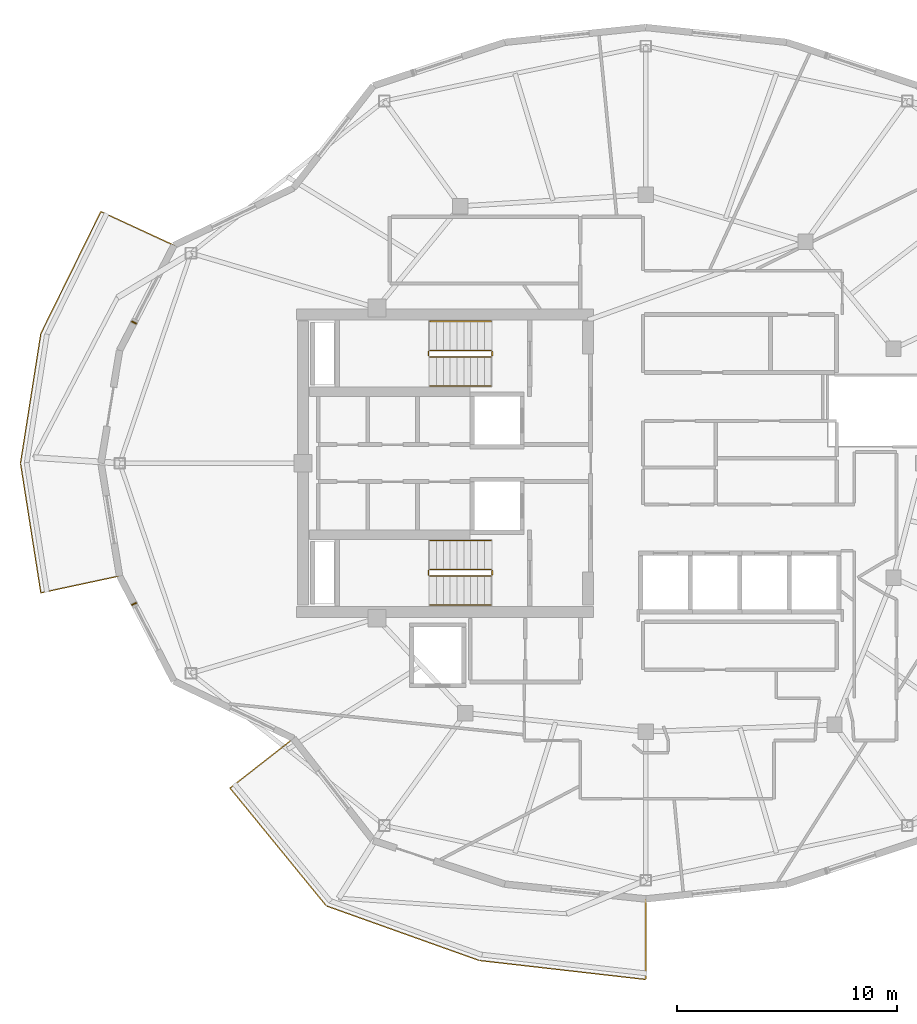
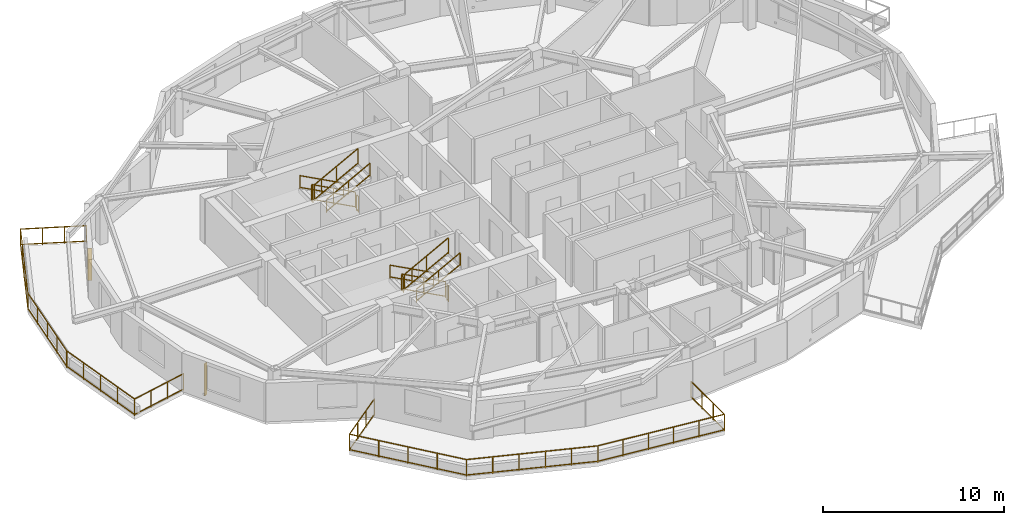
# One storey, part 8 of 10: 14 railings, 2 shading devices.
"""IFC4 building model written with IfcOpenShell, lengths in metres."""

from ifc_helpers import new_model, si_unit, direction, frame, origin, origin_2d, place, context, subcontext, project, spatial, rectangle, extrude, material, type_object, element, save


model = new_model("IFC4")

# Units and contexts
model_context = context("Model", 3, precision=1e-05, world=origin(), true_north=direction((0.0, 1.0)))
body_context = subcontext(model_context, "Body", "Model", "MODEL_VIEW")
ifc_project = project(units=[si_unit("LENGTHUNIT", "METRE"), si_unit("AREAUNIT", "SQUARE_METRE"), si_unit("VOLUMEUNIT", "CUBIC_METRE"), si_unit("PLANEANGLEUNIT", "RADIAN"), si_unit("MASSUNIT", "GRAM", prefix="KILO")], contexts=[model_context])

# Site, building, storey
site_placement = place(None, origin())
site = spatial("IfcSite", under=ifc_project, at=site_placement, CompositionType="ELEMENT")
building_placement = place(site_placement, origin())
building = spatial("IfcBuilding", under=site, at=building_placement, Name="Kolvaren Gate Tower and Convention Centre", CompositionType="ELEMENT")
storey_placement = place(building_placement, frame((0.0, 0.0, 203.0)))
storey = spatial("IfcBuildingStorey", under=building, at=storey_placement, Name="L53", CompositionType="ELEMENT", Elevation=203.0)

# Railings
ifc_material_1 = material(Name="Brushed Stainless Steel Grade 316L", Category="steel")
railing_type_1 = type_object("IfcRailingType", Name="ARCH-RL-GUARD-1150", PredefinedType="GUARDRAIL", material=ifc_material_1)
railing_1_placement = place(storey_placement, frame((23.10009765625, 32.1298828125, 0.1650390625)))
element("IfcRailing", 1, at=railing_1_placement, inside=storey, type_object=railing_type_1, Name="L53 ST-T1 stair guard 1", PredefinedType="GUARDRAIL", context=body_context, shape_type="SweptSolid", body=[
    extrude(rectangle(XDim=0.048095703125, YDim=0.048095703125, at=origin_2d()), frame((0.0, 0.0, 1.076171875), z_axis=(-0.882767428149, 0.0, 0.469810246588), x_axis=(0.0, -1.0, 0.0)), (0.0, 0.0, 1.0), 3.16064453125),
    extrude(rectangle(XDim=0.048095703125, YDim=0.048095703125, at=origin_2d()), frame((0.0, 0.0, 0.083984375), z_axis=(-0.882767428149, 0.0, 0.469810246588), x_axis=(0.0, -1.0, 0.0)), (0.0, 0.0, 1.0), 3.16064453125),
    extrude(rectangle(XDim=0.0419921875, YDim=0.0419921875, at=origin_2d()), origin(), (0.0, 0.0, 1.0), 1.050048828125),
    extrude(rectangle(XDim=0.0419921875, YDim=0.0419921875, at=origin_2d()), frame((-2.7900390625, 0.0, 1.48486328125)), (0.0, 0.0, 1.0), 1.050048828125),
    extrude(rectangle(XDim=0.0419921875, YDim=0.0419921875, at=origin_2d()), frame((-1.39501953125, 0.0, 0.742431640625)), (0.0, 0.0, 1.0), 1.050048828125),
])
railing_2_placement = place(storey_placement, frame((20.260009765625, 32.080078125, 1.64990234375)))
element("IfcRailing", 2, at=railing_2_placement, inside=storey, type_object=railing_type_1, Name="L53 ST-T1 stair guard 2", PredefinedType="GUARDRAIL", context=body_context, shape_type="SweptSolid", body=[
    extrude(rectangle(XDim=0.048095703125, YDim=0.048095703125, at=origin_2d()), frame((0.0, 0.0, 1.076171875), z_axis=(0.0, -1.0, 0.0), x_axis=(1.0, 0.0, 0.0)), (0.0, 0.0, 1.0), 0.2001953125),
    extrude(rectangle(XDim=0.048095703125, YDim=0.048095703125, at=origin_2d()), frame((0.0, 0.0, 0.083984375), z_axis=(0.0, -1.0, 0.0), x_axis=(1.0, 0.0, 0.0)), (0.0, 0.0, 1.0), 0.2001953125),
    extrude(rectangle(XDim=0.0419921875, YDim=0.0419921875, at=origin_2d()), origin(), (0.0, 0.0, 1.0), 1.050048828125),
    extrude(rectangle(XDim=0.0419921875, YDim=0.0419921875, at=origin_2d()), frame((0.0, -0.2001953125, 0.0)), (0.0, 0.0, 1.0), 1.050048828125),
])
railing_3_placement = place(storey_placement, frame((20.31005859375, 31.830078125, 1.81494140625)))
element("IfcRailing", 3, at=railing_3_placement, inside=storey, type_object=railing_type_1, Name="L53 ST-T1 stair guard 3", PredefinedType="GUARDRAIL", context=body_context, shape_type="SweptSolid", body=[
    extrude(rectangle(XDim=0.048095703125, YDim=0.048095703125, at=origin_2d()), frame((0.0, 0.0, 1.076171875), z_axis=(0.882735390775, 0.0, 0.469870439454), x_axis=(0.0, 1.0, 0.0)), (0.0, 0.0, 1.0), 3.16064453125),
    extrude(rectangle(XDim=0.048095703125, YDim=0.048095703125, at=origin_2d()), frame((0.0, 0.0, 0.083984375), z_axis=(0.882735390775, 0.0, 0.469870439454), x_axis=(0.0, 1.0, 0.0)), (0.0, 0.0, 1.0), 3.16064453125),
    extrude(rectangle(XDim=0.0419921875, YDim=0.0419921875, at=origin_2d()), origin(), (0.0, 0.0, 1.0), 1.050048828125),
    extrude(rectangle(XDim=0.0419921875, YDim=0.0419921875, at=origin_2d()), frame((2.7900390625, 0.0, 1.485107421875)), (0.0, 0.0, 1.0), 1.050048828125),
    extrude(rectangle(XDim=0.0419921875, YDim=0.0419921875, at=origin_2d()), frame((1.39501953125, 0.0, 0.74267578125)), (0.0, 0.0, 1.0), 1.050048828125),
])
railing_4_placement = place(storey_placement, frame((23.14990234375, 32.080078125, 0.0)))
element("IfcRailing", 4, at=railing_4_placement, inside=storey, type_object=railing_type_1, Name="L53 ST-T1 stair guard 4", PredefinedType="GUARDRAIL", context=body_context, shape_type="SweptSolid", body=[
    extrude(rectangle(XDim=0.048095703125, YDim=0.048095703125, at=origin_2d()), frame((0.0, 0.0, 1.076171875), z_axis=(0.0, -1.0, 0.0), x_axis=(1.0, 0.0, 0.0)), (0.0, 0.0, 1.0), 0.2001953125),
    extrude(rectangle(XDim=0.048095703125, YDim=0.048095703125, at=origin_2d()), frame((0.0, 0.0, 0.083984375), z_axis=(0.0, -1.0, 0.0), x_axis=(1.0, 0.0, 0.0)), (0.0, 0.0, 1.0), 0.2001953125),
    extrude(rectangle(XDim=0.0419921875, YDim=0.0419921875, at=origin_2d()), origin(), (0.0, 0.0, 1.0), 1.050048828125),
    extrude(rectangle(XDim=0.0419921875, YDim=0.0419921875, at=origin_2d()), frame((0.0, -0.2001953125, 0.0)), (0.0, 0.0, 1.0), 1.050048828125),
])
railing_5_placement = place(storey_placement, frame((23.10009765625, 22.169921875, 0.1650390625)))
element("IfcRailing", 5, at=railing_5_placement, inside=storey, type_object=railing_type_1, Name="L53 ST-T2 stair guard 1", PredefinedType="GUARDRAIL", context=body_context, shape_type="SweptSolid", body=[
    extrude(rectangle(XDim=0.048095703125, YDim=0.048095703125, at=origin_2d()), frame((0.0, 0.0, 1.076171875), z_axis=(-0.882767428149, 0.0, 0.469810246588), x_axis=(0.0, -1.0, 0.0)), (0.0, 0.0, 1.0), 3.16064453125),
    extrude(rectangle(XDim=0.048095703125, YDim=0.048095703125, at=origin_2d()), frame((0.0, 0.0, 0.083984375), z_axis=(-0.882767428149, 0.0, 0.469810246588), x_axis=(0.0, -1.0, 0.0)), (0.0, 0.0, 1.0), 3.16064453125),
    extrude(rectangle(XDim=0.0419921875, YDim=0.0419921875, at=origin_2d()), origin(), (0.0, 0.0, 1.0), 1.050048828125),
    extrude(rectangle(XDim=0.0419921875, YDim=0.0419921875, at=origin_2d()), frame((-2.7900390625, 0.0, 1.48486328125)), (0.0, 0.0, 1.0), 1.050048828125),
    extrude(rectangle(XDim=0.0419921875, YDim=0.0419921875, at=origin_2d()), frame((-1.39501953125, 0.0, 0.742431640625)), (0.0, 0.0, 1.0), 1.050048828125),
])
railing_6_placement = place(storey_placement, frame((20.260009765625, 22.1201171875, 1.64990234375)))
element("IfcRailing", 6, at=railing_6_placement, inside=storey, type_object=railing_type_1, Name="L53 ST-T2 stair guard 2", PredefinedType="GUARDRAIL", context=body_context, shape_type="SweptSolid", body=[
    extrude(rectangle(XDim=0.048095703125, YDim=0.048095703125, at=origin_2d()), frame((0.0, 0.0, 1.076171875), z_axis=(0.0, -1.0, 0.0), x_axis=(1.0, 0.0, 0.0)), (0.0, 0.0, 1.0), 0.2001953125),
    extrude(rectangle(XDim=0.048095703125, YDim=0.048095703125, at=origin_2d()), frame((0.0, 0.0, 0.083984375), z_axis=(0.0, -1.0, 0.0), x_axis=(1.0, 0.0, 0.0)), (0.0, 0.0, 1.0), 0.2001953125),
    extrude(rectangle(XDim=0.0419921875, YDim=0.0419921875, at=origin_2d()), origin(), (0.0, 0.0, 1.0), 1.050048828125),
    extrude(rectangle(XDim=0.0419921875, YDim=0.0419921875, at=origin_2d()), frame((0.0, -0.2001953125, 0.0)), (0.0, 0.0, 1.0), 1.050048828125),
])
railing_7_placement = place(storey_placement, frame((20.31005859375, 21.8701171875, 1.81494140625)))
element("IfcRailing", 7, at=railing_7_placement, inside=storey, type_object=railing_type_1, Name="L53 ST-T2 stair guard 3", PredefinedType="GUARDRAIL", context=body_context, shape_type="SweptSolid", body=[
    extrude(rectangle(XDim=0.048095703125, YDim=0.048095703125, at=origin_2d()), frame((0.0, 0.0, 1.076171875), z_axis=(0.882735390775, 0.0, 0.469870439454), x_axis=(0.0, 1.0, 0.0)), (0.0, 0.0, 1.0), 3.16064453125),
    extrude(rectangle(XDim=0.048095703125, YDim=0.048095703125, at=origin_2d()), frame((0.0, 0.0, 0.083984375), z_axis=(0.882735390775, 0.0, 0.469870439454), x_axis=(0.0, 1.0, 0.0)), (0.0, 0.0, 1.0), 3.16064453125),
    extrude(rectangle(XDim=0.0419921875, YDim=0.0419921875, at=origin_2d()), origin(), (0.0, 0.0, 1.0), 1.050048828125),
    extrude(rectangle(XDim=0.0419921875, YDim=0.0419921875, at=origin_2d()), frame((2.7900390625, 0.0, 1.485107421875)), (0.0, 0.0, 1.0), 1.050048828125),
    extrude(rectangle(XDim=0.0419921875, YDim=0.0419921875, at=origin_2d()), frame((1.39501953125, 0.0, 0.74267578125)), (0.0, 0.0, 1.0), 1.050048828125),
])
railing_8_placement = place(storey_placement, frame((23.14990234375, 22.1201171875, 0.0)))
element("IfcRailing", 8, at=railing_8_placement, inside=storey, type_object=railing_type_1, Name="L53 ST-T2 stair guard 4", PredefinedType="GUARDRAIL", context=body_context, shape_type="SweptSolid", body=[
    extrude(rectangle(XDim=0.048095703125, YDim=0.048095703125, at=origin_2d()), frame((0.0, 0.0, 1.076171875), z_axis=(0.0, -1.0, 0.0), x_axis=(1.0, 0.0, 0.0)), (0.0, 0.0, 1.0), 0.2001953125),
    extrude(rectangle(XDim=0.048095703125, YDim=0.048095703125, at=origin_2d()), frame((0.0, 0.0, 0.083984375), z_axis=(0.0, -1.0, 0.0), x_axis=(1.0, 0.0, 0.0)), (0.0, 0.0, 1.0), 0.2001953125),
    extrude(rectangle(XDim=0.0419921875, YDim=0.0419921875, at=origin_2d()), origin(), (0.0, 0.0, 1.0), 1.050048828125),
    extrude(rectangle(XDim=0.0419921875, YDim=0.0419921875, at=origin_2d()), frame((0.0, -0.2001953125, 0.0)), (0.0, 0.0, 1.0), 1.050048828125),
])
railing_9_placement = place(storey_placement, frame((8.69091796875, 36.89990234375, 0.0)))
element("IfcRailing", 9, at=railing_9_placement, inside=storey, type_object=railing_type_1, Name="Tower L53 Terrace Perimeter Guardrail GR-2", PredefinedType="GUARDRAIL", context=body_context, shape_type="SweptSolid", body=[
    extrude(rectangle(XDim=0.048095703125, YDim=0.048095703125, at=origin_2d()), frame((-0.025390625, 0.01171875, 1.1259765625), z_axis=(-0.907820723829, 0.419358478377, 0.0), x_axis=(-0.419358478377, -0.907820723829, 0.0)), (0.0, 0.0, 1.0), 3.60400390625),
    extrude(rectangle(XDim=0.048095703125, YDim=0.048095703125, at=origin_2d()), frame((-0.025390625, 0.01171875, 0.083984375), z_axis=(-0.907820723829, 0.419358478377, 0.0), x_axis=(-0.419358478377, -0.907820723829, 0.0)), (0.0, 0.0, 1.0), 3.60400390625),
    extrude(rectangle(XDim=0.048095703125, YDim=0.048095703125, at=origin_2d()), frame((-3.335205078125, 1.509765625, 1.1259765625), z_axis=(-0.441625304244, -0.897199582396, 0.0), x_axis=(0.897199582396, -0.441625304244, 0.0)), (0.0, 0.0, 1.0), 6.122314453125),
    extrude(rectangle(XDim=0.048095703125, YDim=0.048095703125, at=origin_2d()), frame((-3.335205078125, 1.509765625, 0.083984375), z_axis=(-0.441625304244, -0.897199582396, 0.0), x_axis=(0.897199582396, -0.441625304244, 0.0)), (0.0, 0.0, 1.0), 6.122314453125),
    extrude(rectangle(XDim=0.048095703125, YDim=0.048095703125, at=origin_2d()), frame((-6.0556640625, -4.035888671875, 1.1259765625), z_axis=(-0.155031225865, -0.987909570258, 0.0), x_axis=(0.987909570258, -0.155031225865, 0.0)), (0.0, 0.0, 1.0), 5.90771484375),
    extrude(rectangle(XDim=0.048095703125, YDim=0.048095703125, at=origin_2d()), frame((-6.0556640625, -4.035888671875, 0.083984375), z_axis=(-0.155031225865, -0.987909570258, 0.0), x_axis=(0.987909570258, -0.155031225865, 0.0)), (0.0, 0.0, 1.0), 5.90771484375),
    extrude(rectangle(XDim=0.048095703125, YDim=0.048095703125, at=origin_2d()), frame((-6.971435546875, -9.927490234375, 1.1259765625), z_axis=(0.155031225865, -0.987909570258, 0.0), x_axis=(0.987909570258, 0.155031225865, 0.0)), (0.0, 0.0, 1.0), 5.90771484375),
    extrude(rectangle(XDim=0.048095703125, YDim=0.048095703125, at=origin_2d()), frame((-6.971435546875, -9.927490234375, 0.083984375), z_axis=(0.155031225865, -0.987909570258, 0.0), x_axis=(0.987909570258, 0.155031225865, 0.0)), (0.0, 0.0, 1.0), 5.90771484375),
    extrude(rectangle(XDim=0.048095703125, YDim=0.048095703125, at=origin_2d()), frame((-6.02392578125, -15.78564453125, 1.1259765625), z_axis=(0.977788745232, 0.209592866525, 0.0), x_axis=(-0.209592866525, 0.977788745232, 0.0)), (0.0, 0.0, 1.0), 3.603759765625),
    extrude(rectangle(XDim=0.048095703125, YDim=0.048095703125, at=origin_2d()), frame((-6.02392578125, -15.78564453125, 0.083984375), z_axis=(0.977788745232, 0.209592866525, 0.0), x_axis=(-0.209592866525, 0.977788745232, 0.0)), (0.0, 0.0, 1.0), 3.603759765625),
    extrude(rectangle(XDim=0.0419921875, YDim=0.0419921875, at=origin_2d()), origin(), (0.0, 0.0, 1.0), 1.14990234375),
    extrude(rectangle(XDim=0.0419921875, YDim=0.0419921875, at=origin_2d()), frame((-3.32275390625, 1.534912109375, 0.0)), (0.0, 0.0, 1.0), 1.14990234375),
    extrude(rectangle(XDim=0.0419921875, YDim=0.0419921875, at=origin_2d()), frame((-1.107666015625, 0.51171875, 0.0)), (0.0, 0.0, 1.0), 1.099853515625),
    extrude(rectangle(XDim=0.0419921875, YDim=0.0419921875, at=origin_2d()), frame((-2.215087890625, 1.023193359375, 0.0)), (0.0, 0.0, 1.0), 1.099853515625),
    extrude(rectangle(XDim=0.0419921875, YDim=0.0419921875, at=origin_2d()), frame((-6.05126953125, -4.00830078125, 0.0)), (0.0, 0.0, 1.0), 1.14990234375),
    extrude(rectangle(XDim=0.0419921875, YDim=0.0419921875, at=origin_2d()), frame((-4.0048828125, 0.149169921875, 0.0)), (0.0, 0.0, 1.0), 1.099853515625),
    extrude(rectangle(XDim=0.0419921875, YDim=0.0419921875, at=origin_2d()), frame((-4.68701171875, -1.23681640625, 0.0)), (0.0, 0.0, 1.0), 1.099853515625),
    extrude(rectangle(XDim=0.0419921875, YDim=0.0419921875, at=origin_2d()), frame((-5.369140625, -2.62255859375, 0.0)), (0.0, 0.0, 1.0), 1.099853515625),
    extrude(rectangle(XDim=0.0419921875, YDim=0.0419921875, at=origin_2d()), frame((-6.975830078125, -9.89990234375, 0.0)), (0.0, 0.0, 1.0), 1.14990234375),
    extrude(rectangle(XDim=0.0419921875, YDim=0.0419921875, at=origin_2d()), frame((-6.282470703125, -5.481201171875, 0.0)), (0.0, 0.0, 1.0), 1.099853515625),
    extrude(rectangle(XDim=0.0419921875, YDim=0.0419921875, at=origin_2d()), frame((-6.513671875, -6.9541015625, 0.0)), (0.0, 0.0, 1.0), 1.099853515625),
    extrude(rectangle(XDim=0.0419921875, YDim=0.0419921875, at=origin_2d()), frame((-6.74462890625, -8.427001953125, 0.0)), (0.0, 0.0, 1.0), 1.099853515625),
    extrude(rectangle(XDim=0.0419921875, YDim=0.0419921875, at=origin_2d()), frame((-6.05126953125, -15.79150390625, 0.0)), (0.0, 0.0, 1.0), 1.14990234375),
    extrude(rectangle(XDim=0.0419921875, YDim=0.0419921875, at=origin_2d()), frame((-6.74462890625, -11.372802734375, 0.0)), (0.0, 0.0, 1.0), 1.099853515625),
    extrude(rectangle(XDim=0.0419921875, YDim=0.0419921875, at=origin_2d()), frame((-6.513671875, -12.845703125, 0.0)), (0.0, 0.0, 1.0), 1.099853515625),
    extrude(rectangle(XDim=0.0419921875, YDim=0.0419921875, at=origin_2d()), frame((-6.282470703125, -14.318603515625, 0.0)), (0.0, 0.0, 1.0), 1.099853515625),
    extrude(rectangle(XDim=0.0419921875, YDim=0.0419921875, at=origin_2d()), frame((-2.47265625, -15.0244140625, 0.0)), (0.0, 0.0, 1.0), 1.14990234375),
    extrude(rectangle(XDim=0.0419921875, YDim=0.0419921875, at=origin_2d()), frame((-4.8583984375, -15.535888671875, 0.0)), (0.0, 0.0, 1.0), 1.099853515625),
    extrude(rectangle(XDim=0.0419921875, YDim=0.0419921875, at=origin_2d()), frame((-3.66552734375, -15.280029296875, 0.0)), (0.0, 0.0, 1.0), 1.099853515625),
])
railing_10_placement = place(storey_placement, frame((14.117431640625, 14.49267578125, 0.0)))
element("IfcRailing", 10, at=railing_10_placement, inside=storey, type_object=railing_type_1, Name="Tower L53 Terrace Perimeter Guardrail GR-3", PredefinedType="GUARDRAIL", context=body_context, shape_type="SweptSolid", body=[
    extrude(rectangle(XDim=0.048095703125, YDim=0.048095703125, at=origin_2d()), frame((-0.022216796875, -0.017333984375, 1.1259765625), z_axis=(-0.787988976981, -0.61568934712, 0.0), x_axis=(0.61568934712, -0.787988976981, 0.0)), (0.0, 0.0, 1.0), 3.60400390625),
    extrude(rectangle(XDim=0.048095703125, YDim=0.048095703125, at=origin_2d()), frame((-0.022216796875, -0.017333984375, 0.083984375), z_axis=(-0.787988976981, -0.61568934712, 0.0), x_axis=(0.61568934712, -0.787988976981, 0.0)), (0.0, 0.0, 1.0), 3.60400390625),
    extrude(rectangle(XDim=0.048095703125, YDim=0.048095703125, at=origin_2d()), frame((-2.8662109375, -2.275146484375, 1.1259765625), z_axis=(0.632718487063, -0.77438189295, 0.0), x_axis=(0.77438189295, 0.632718487063, 0.0)), (0.0, 0.0, 1.0), 6.858154296875),
    extrude(rectangle(XDim=0.048095703125, YDim=0.048095703125, at=origin_2d()), frame((-2.8662109375, -2.275146484375, 0.083984375), z_axis=(0.632718487063, -0.77438189295, 0.0), x_axis=(0.77438189295, 0.632718487063, 0.0)), (0.0, 0.0, 1.0), 6.858154296875),
    extrude(rectangle(XDim=0.048095703125, YDim=0.048095703125, at=origin_2d()), frame((1.51708984375, -7.6171875, 1.1259765625), z_axis=(0.941783827204, -0.336219010197, 0.0), x_axis=(0.336219010197, 0.941783827204, 0.0)), (0.0, 0.0, 1.0), 7.322265625),
    extrude(rectangle(XDim=0.048095703125, YDim=0.048095703125, at=origin_2d()), frame((1.51708984375, -7.6171875, 0.083984375), z_axis=(0.941783827204, -0.336219010197, 0.0), x_axis=(0.336219010197, 0.941783827204, 0.0)), (0.0, 0.0, 1.0), 7.322265625),
    extrude(rectangle(XDim=0.048095703125, YDim=0.048095703125, at=origin_2d()), frame((8.46728515625, -10.091552734375, 1.1259765625), z_axis=(0.993542586276, -0.113459813395, 0.0), x_axis=(0.113459813395, 0.993542586276, 0.0)), (0.0, 0.0, 1.0), 7.561279296875),
    extrude(rectangle(XDim=0.048095703125, YDim=0.048095703125, at=origin_2d()), frame((8.46728515625, -10.091552734375, 0.083984375), z_axis=(0.993542586276, -0.113459813395, 0.0), x_axis=(0.113459813395, 0.993542586276, 0.0)), (0.0, 0.0, 1.0), 7.561279296875),
    extrude(rectangle(XDim=0.048095703125, YDim=0.048095703125, at=origin_2d()), frame((16.007568359375, -10.924560546875, 1.1259765625), z_axis=(0.0, 1.0, 0.0), x_axis=(-1.0, 0.0, 0.0)), (0.0, 0.0, 1.0), 3.603759765625),
    extrude(rectangle(XDim=0.048095703125, YDim=0.048095703125, at=origin_2d()), frame((16.007568359375, -10.924560546875, 0.083984375), z_axis=(0.0, 1.0, 0.0), x_axis=(-1.0, 0.0, 0.0)), (0.0, 0.0, 1.0), 3.603759765625),
    extrude(rectangle(XDim=0.0419921875, YDim=0.0419921875, at=origin_2d()), origin(), (0.0, 0.0, 1.0), 1.14990234375),
    extrude(rectangle(XDim=0.0419921875, YDim=0.0419921875, at=origin_2d()), frame((-2.884033203125, -2.25341796875, 0.0)), (0.0, 0.0, 1.0), 1.14990234375),
    extrude(rectangle(XDim=0.0419921875, YDim=0.0419921875, at=origin_2d()), frame((-0.96142578125, -0.751220703125, 0.0)), (0.0, 0.0, 1.0), 1.099853515625),
    extrude(rectangle(XDim=0.0419921875, YDim=0.0419921875, at=origin_2d()), frame((-1.922607421875, -1.502197265625, 0.0)), (0.0, 0.0, 1.0), 1.099853515625),
    extrude(rectangle(XDim=0.0419921875, YDim=0.0419921875, at=origin_2d()), frame((1.49072265625, -7.607666015625, 0.0)), (0.0, 0.0, 1.0), 1.14990234375),
    extrude(rectangle(XDim=0.0419921875, YDim=0.0419921875, at=origin_2d()), frame((-1.790283203125, -3.592041015625, 0.0)), (0.0, 0.0, 1.0), 1.099853515625),
    extrude(rectangle(XDim=0.0419921875, YDim=0.0419921875, at=origin_2d()), frame((-0.69677734375, -4.9306640625, 0.0)), (0.0, 0.0, 1.0), 1.099853515625),
    extrude(rectangle(XDim=0.0419921875, YDim=0.0419921875, at=origin_2d()), frame((0.39697265625, -6.26904296875, 0.0)), (0.0, 0.0, 1.0), 1.099853515625),
    extrude(rectangle(XDim=0.0419921875, YDim=0.0419921875, at=origin_2d()), frame((8.439453125, -10.08837890625, 0.0)), (0.0, 0.0, 1.0), 1.14990234375),
    extrude(rectangle(XDim=0.0419921875, YDim=0.0419921875, at=origin_2d()), frame((2.88037109375, -8.103759765625, 0.0)), (0.0, 0.0, 1.0), 1.099853515625),
    extrude(rectangle(XDim=0.0419921875, YDim=0.0419921875, at=origin_2d()), frame((4.270263671875, -8.599853515625, 0.0)), (0.0, 0.0, 1.0), 1.099853515625),
    extrude(rectangle(XDim=0.0419921875, YDim=0.0419921875, at=origin_2d()), frame((5.659912109375, -9.09619140625, 0.0)), (0.0, 0.0, 1.0), 1.099853515625),
    extrude(rectangle(XDim=0.0419921875, YDim=0.0419921875, at=origin_2d()), frame((7.0498046875, -9.59228515625, 0.0)), (0.0, 0.0, 1.0), 1.099853515625),
    extrude(rectangle(XDim=0.0419921875, YDim=0.0419921875, at=origin_2d()), frame((16.007568359375, -10.95263671875, 0.0)), (0.0, 0.0, 1.0), 1.14990234375),
    extrude(rectangle(XDim=0.0419921875, YDim=0.0419921875, at=origin_2d()), frame((9.953125, -10.26123046875, 0.0)), (0.0, 0.0, 1.0), 1.099853515625),
    extrude(rectangle(XDim=0.0419921875, YDim=0.0419921875, at=origin_2d()), frame((11.466796875, -10.43408203125, 0.0)), (0.0, 0.0, 1.0), 1.099853515625),
    extrude(rectangle(XDim=0.0419921875, YDim=0.0419921875, at=origin_2d()), frame((12.980224609375, -10.60693359375, 0.0)), (0.0, 0.0, 1.0), 1.099853515625),
    extrude(rectangle(XDim=0.0419921875, YDim=0.0419921875, at=origin_2d()), frame((14.493896484375, -10.77978515625, 0.0)), (0.0, 0.0, 1.0), 1.099853515625),
    extrude(rectangle(XDim=0.0419921875, YDim=0.0419921875, at=origin_2d()), frame((16.007568359375, -7.292724609375, 0.0)), (0.0, 0.0, 1.0), 1.14990234375),
    extrude(rectangle(XDim=0.0419921875, YDim=0.0419921875, at=origin_2d()), frame((16.007568359375, -9.732666015625, 0.0)), (0.0, 0.0, 1.0), 1.099853515625),
    extrude(rectangle(XDim=0.0419921875, YDim=0.0419921875, at=origin_2d()), frame((16.007568359375, -8.5126953125, 0.0)), (0.0, 0.0, 1.0), 1.099853515625),
])
railing_type_2 = type_object("IfcRailingType", Name="ARCH-RL-HANDRAIL-920", PredefinedType="HANDRAIL", material=ifc_material_1)
railing_11_placement = place(storey_placement, frame((23.10009765625, 33.449951171875, 0.1650390625)))
element("IfcRailing", 11, at=railing_11_placement, inside=storey, type_object=railing_type_2, Name="L53 ST-T1 stair handrail 1", PredefinedType="HANDRAIL", context=body_context, shape_type="SweptSolid", body=[
    extrude(rectangle(XDim=0.048095703125, YDim=0.048095703125, at=origin_2d()), frame((0.0, 0.0, 0.8759765625), z_axis=(-0.882767428149, 0.0, 0.469810246588), x_axis=(0.0, -1.0, 0.0)), (0.0, 0.0, 1.0), 3.16064453125),
    extrude(rectangle(XDim=0.048095703125, YDim=0.048095703125, at=origin_2d()), frame((0.0, 0.0, 0.083984375), z_axis=(-0.882767428149, 0.0, 0.469810246588), x_axis=(0.0, -1.0, 0.0)), (0.0, 0.0, 1.0), 3.16064453125),
    extrude(rectangle(XDim=0.0419921875, YDim=0.0419921875, at=origin_2d()), origin(), (0.0, 0.0, 1.0), 0.849853515625),
    extrude(rectangle(XDim=0.0419921875, YDim=0.0419921875, at=origin_2d()), frame((-2.7900390625, 0.0, 1.48486328125)), (0.0, 0.0, 1.0), 0.849853515625),
    extrude(rectangle(XDim=0.0419921875, YDim=0.0419921875, at=origin_2d()), frame((-1.39501953125, 0.0, 0.742431640625)), (0.0, 0.0, 1.0), 0.849853515625),
])
railing_12_placement = place(storey_placement, frame((20.31005859375, 30.510009765625, 1.81494140625)))
element("IfcRailing", 12, at=railing_12_placement, inside=storey, type_object=railing_type_2, Name="L53 ST-T1 stair handrail 2", PredefinedType="HANDRAIL", context=body_context, shape_type="SweptSolid", body=[
    extrude(rectangle(XDim=0.048095703125, YDim=0.048095703125, at=origin_2d()), frame((0.0, 0.0, 0.8759765625), z_axis=(0.882735390775, 0.0, 0.469870439454), x_axis=(0.0, 1.0, 0.0)), (0.0, 0.0, 1.0), 3.16064453125),
    extrude(rectangle(XDim=0.048095703125, YDim=0.048095703125, at=origin_2d()), frame((0.0, 0.0, 0.083984375), z_axis=(0.882735390775, 0.0, 0.469870439454), x_axis=(0.0, 1.0, 0.0)), (0.0, 0.0, 1.0), 3.16064453125),
    extrude(rectangle(XDim=0.0419921875, YDim=0.0419921875, at=origin_2d()), origin(), (0.0, 0.0, 1.0), 0.849853515625),
    extrude(rectangle(XDim=0.0419921875, YDim=0.0419921875, at=origin_2d()), frame((2.7900390625, 0.0, 1.485107421875)), (0.0, 0.0, 1.0), 0.849853515625),
    extrude(rectangle(XDim=0.0419921875, YDim=0.0419921875, at=origin_2d()), frame((1.39501953125, 0.0, 0.74267578125)), (0.0, 0.0, 1.0), 0.849853515625),
])
railing_13_placement = place(storey_placement, frame((23.10009765625, 23.489990234375, 0.1650390625)))
element("IfcRailing", 13, at=railing_13_placement, inside=storey, type_object=railing_type_2, Name="L53 ST-T2 stair handrail 1", PredefinedType="HANDRAIL", context=body_context, shape_type="SweptSolid", body=[
    extrude(rectangle(XDim=0.048095703125, YDim=0.048095703125, at=origin_2d()), frame((0.0, 0.0, 0.8759765625), z_axis=(-0.882767428149, 0.0, 0.469810246588), x_axis=(0.0, -1.0, 0.0)), (0.0, 0.0, 1.0), 3.16064453125),
    extrude(rectangle(XDim=0.048095703125, YDim=0.048095703125, at=origin_2d()), frame((0.0, 0.0, 0.083984375), z_axis=(-0.882767428149, 0.0, 0.469810246588), x_axis=(0.0, -1.0, 0.0)), (0.0, 0.0, 1.0), 3.16064453125),
    extrude(rectangle(XDim=0.0419921875, YDim=0.0419921875, at=origin_2d()), origin(), (0.0, 0.0, 1.0), 0.849853515625),
    extrude(rectangle(XDim=0.0419921875, YDim=0.0419921875, at=origin_2d()), frame((-2.7900390625, 0.0, 1.48486328125)), (0.0, 0.0, 1.0), 0.849853515625),
    extrude(rectangle(XDim=0.0419921875, YDim=0.0419921875, at=origin_2d()), frame((-1.39501953125, 0.0, 0.742431640625)), (0.0, 0.0, 1.0), 0.849853515625),
])
railing_14_placement = place(storey_placement, frame((20.31005859375, 20.550048828125, 1.81494140625)))
element("IfcRailing", 14, at=railing_14_placement, inside=storey, type_object=railing_type_2, Name="L53 ST-T2 stair handrail 2", PredefinedType="HANDRAIL", context=body_context, shape_type="SweptSolid", body=[
    extrude(rectangle(XDim=0.048095703125, YDim=0.048095703125, at=origin_2d()), frame((0.0, 0.0, 0.8759765625), z_axis=(0.882735390775, 0.0, 0.469870439454), x_axis=(0.0, 1.0, 0.0)), (0.0, 0.0, 1.0), 3.16064453125),
    extrude(rectangle(XDim=0.048095703125, YDim=0.048095703125, at=origin_2d()), frame((0.0, 0.0, 0.083984375), z_axis=(0.882735390775, 0.0, 0.469870439454), x_axis=(0.0, 1.0, 0.0)), (0.0, 0.0, 1.0), 3.16064453125),
    extrude(rectangle(XDim=0.0419921875, YDim=0.0419921875, at=origin_2d()), origin(), (0.0, 0.0, 1.0), 0.849853515625),
    extrude(rectangle(XDim=0.0419921875, YDim=0.0419921875, at=origin_2d()), frame((2.7900390625, 0.0, 1.485107421875)), (0.0, 0.0, 1.0), 0.849853515625),
    extrude(rectangle(XDim=0.0419921875, YDim=0.0419921875, at=origin_2d()), frame((1.39501953125, 0.0, 0.74267578125)), (0.0, 0.0, 1.0), 0.849853515625),
])

# Shading devices
ifc_material_2 = material(Name="Kiln-Fired Bogota Terracotta Ceramic Louvre Profile", Category="masonry")
shading_device_type = type_object("IfcShadingDeviceType", Name="ARCH-SHD-FIN-180", PredefinedType="JALOUSIE", material=ifc_material_2)
for number, where, z_axis, x_axis, name in (
    (15, (6.87548828125, 33.3935546875, 0.219970703125), (0.0, 0.0, 1.0), (0.459799959359, 0.888022520758, 0.0), "Ceramic Vertical Brise-Soleil Fin FN-L53-10"),
    (16, (6.87548828125, 20.6064453125, 0.219970703125), (0.0, 0.0, 1.0), (0.459799959359, -0.888022520758, 0.0), "Ceramic Vertical Brise-Soleil Fin FN-L53-13"),
):
    element("IfcShadingDevice", number, at=place(storey_placement, frame(where, z_axis=z_axis, x_axis=x_axis)), inside=storey, type_object=shading_device_type, Name=name, PredefinedType="JALOUSIE", context=body_context, shape_type="SweptSolid", body=[
        extrude(rectangle(XDim=0.06005859375, YDim=0.239990234375, at=origin_2d()), origin(), (0.0, 0.0, 1.0), 2.14990234375),
    ])

save(model, "model.ifc")
